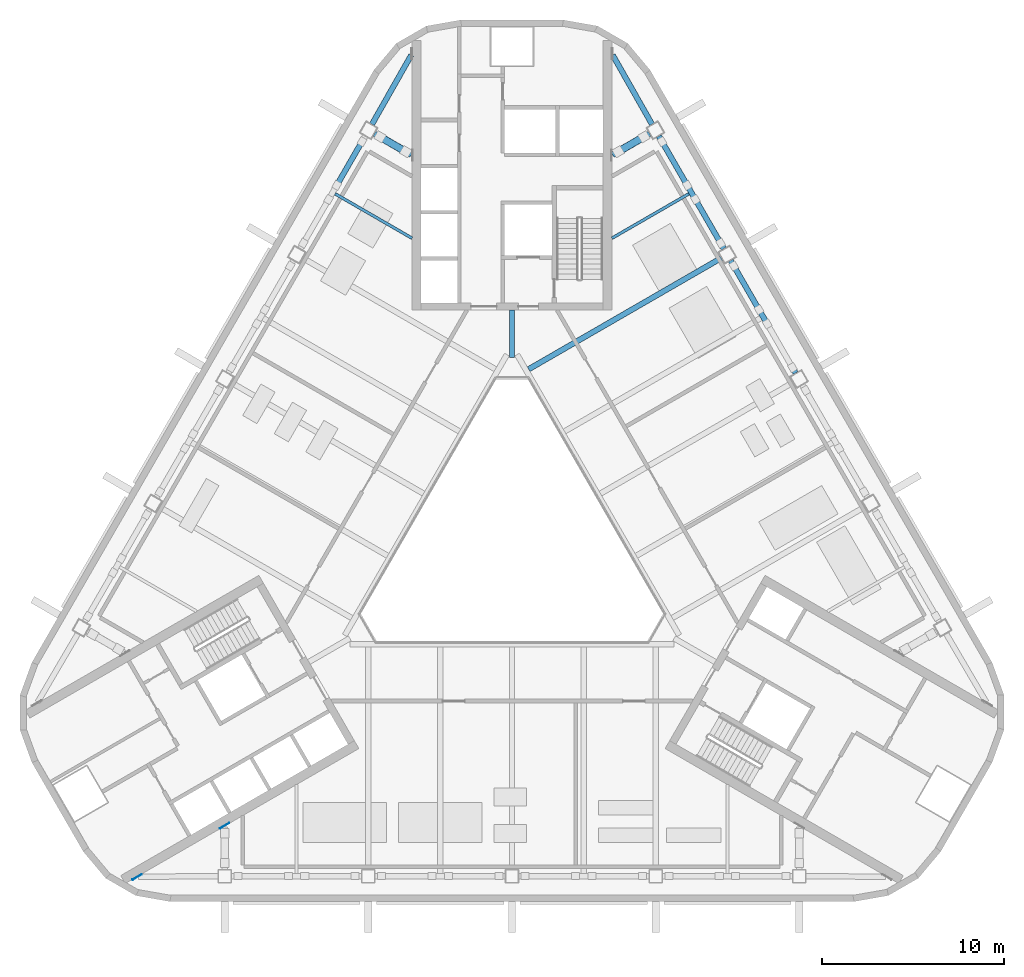
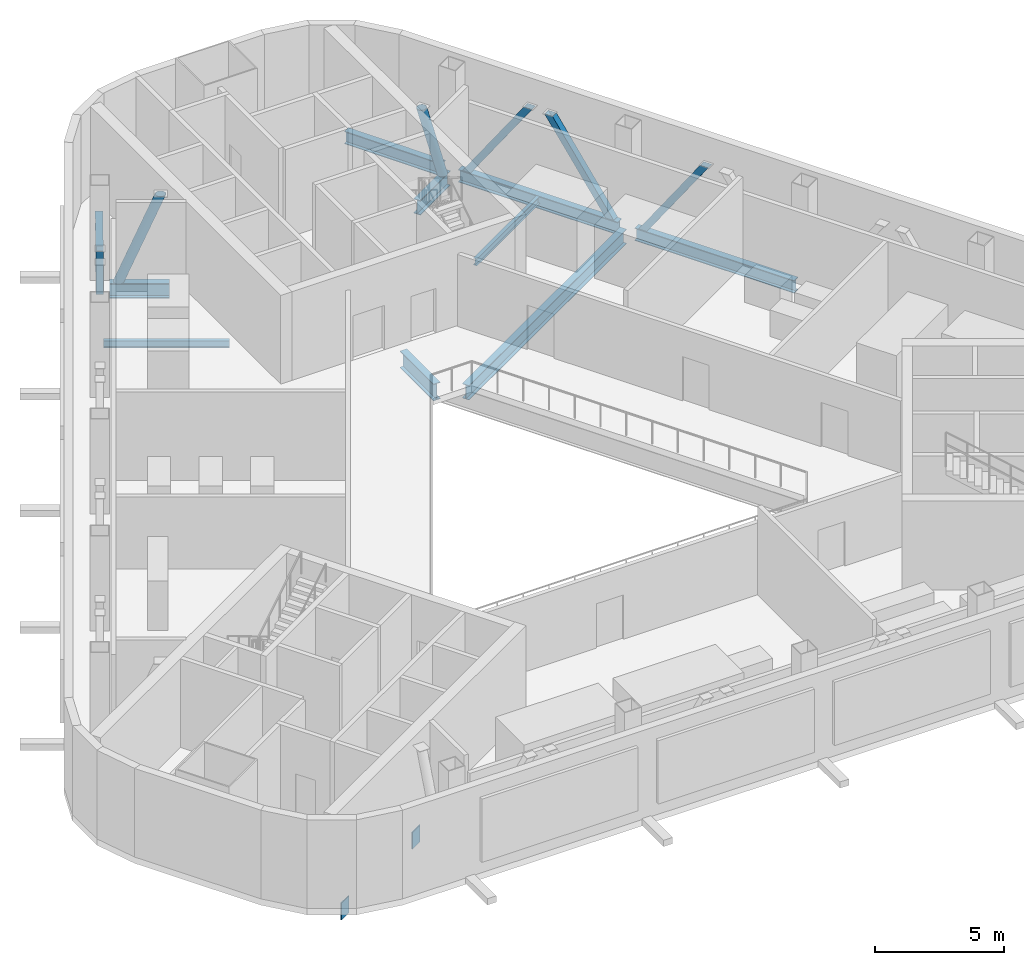
# One storey, part 3 of 15: 12 members, 4 beams, 2 plates.
"""IFC4 building model written with IfcOpenShell, lengths in metres."""

from ifc_helpers import new_model, si_unit, direction, frame, origin, origin_2d, place, context, subcontext, project, spatial, rectangle, hollow_rectangle, hollow_circle, i_section, extrude, boolean, halfspace, material, layer, layer_set, material_profile, profile_set, type_object, element, save


model = new_model("IFC4")

# Units and contexts
model_context = context("Model", 3, precision=1e-05, world=origin(), true_north=direction((0.0, 1.0)))
body_context = subcontext(model_context, "Body", "Model", "MODEL_VIEW")
ifc_project = project(units=[si_unit("LENGTHUNIT", "METRE"), si_unit("AREAUNIT", "SQUARE_METRE"), si_unit("VOLUMEUNIT", "CUBIC_METRE"), si_unit("PLANEANGLEUNIT", "RADIAN"), si_unit("MASSUNIT", "GRAM", prefix="KILO")], contexts=[model_context])

# Site, building, storey
site_placement = place(None, origin())
site = spatial("IfcSite", under=ifc_project, at=site_placement, CompositionType="ELEMENT")
building_placement = place(site_placement, origin())
building = spatial("IfcBuilding", under=site, at=building_placement, Name="Apuvela Tower Hotel", CompositionType="ELEMENT")
storey_placement = place(building_placement, frame((0.0, 0.0, 237.699951171875)))
storey = spatial("IfcBuildingStorey", under=building, at=storey_placement, Name="L58 Plant", CompositionType="ELEMENT", Elevation=237.699951171875)

# Beams
ifc_material = material(Name="Steel S355", Category="steel")
ifc_material_profile_1 = material_profile(ifc_material, i_section(OverallWidth=0.300048828125, OverallDepth=0.68994140625, WebThickness=0.014404296875, FlangeThickness=0.027099609375, at=origin_2d()), Name="HE 700 A")
ifc_profile_set_1 = profile_set([ifc_material_profile_1], Name="Steel S355")
beam_type_1 = type_object("IfcBeamType", Name="STR-B floor beam HE 700 A", PredefinedType="BEAM", material=ifc_profile_set_1)
beam_1_placement = place(storey_placement, frame((11.512939453125, 15.76904296875, -0.64501953125), z_axis=(-0.866030406821, -0.499991334387, 0.0), x_axis=(0.499991334387, -0.866030406821, 0.0)))
element("IfcBeam", 1, at=beam_1_placement, inside=storey, type_object=beam_type_1, Name="Floor beam B6 NE7", PredefinedType="BEAM", context=body_context, shape_type="SweptSolid", body=[
    extrude(i_section(OverallWidth=0.300048828125, OverallDepth=0.68994140625, WebThickness=0.014404296875, FlangeThickness=0.027099609375, at=origin_2d()), origin(), (0.0, 0.0, 1.0), 12.235107421875),
])
ifc_material_profile_2 = material_profile(ifc_material, i_section(OverallWidth=0.159912109375, OverallDepth=0.330078125, WebThickness=0.007568359375, FlangeThickness=0.011474609375, at=origin_2d()), Name="IPE 330")
ifc_profile_set_2 = profile_set([ifc_material_profile_2], Name="Steel S355")
beam_type_2 = type_object("IfcBeamType", Name="STR-B floor beam IPE 330", PredefinedType="BEAM", material=ifc_profile_set_2)
for number, where, z_axis, x_axis, name in (
    (2, (9.732666015625, 19.302490234375, -0.46484375), (-0.866015056278, -0.500017921979, 0.0), (0.500017921979, -0.866015056278, 0.0), "Floor beam B1 NE8"),
    (3, (-9.732666015625, 19.302490234375, -0.46484375), (0.866015056278, -0.500017921979, 0.0), (0.500017921979, 0.866015056278, 0.0), "Floor beam B1 NW2"),
):
    element("IfcBeam", number, at=place(storey_placement, frame(where, z_axis=z_axis, x_axis=x_axis)), inside=storey, type_object=beam_type_2, Name=name, PredefinedType="BEAM", context=body_context, shape_type="SweptSolid", body=[
        extrude(i_section(OverallWidth=0.159912109375, OverallDepth=0.330078125, WebThickness=0.007568359375, FlangeThickness=0.011474609375, at=origin_2d()), origin(), (0.0, 0.0, 1.0), 4.887451171875),
    ])
ifc_material_profile_3 = material_profile(ifc_material, i_section(OverallWidth=0.300048828125, OverallDepth=0.800048828125, WebThickness=0.017578125, FlangeThickness=0.032958984375, at=origin_2d()), Name="HE 800 B")
ifc_profile_set_3 = profile_set([ifc_material_profile_3], Name="Steel S355")
beam_type_3 = type_object("IfcBeamType", Name="STR-GT core tie beam HE 800 B", PredefinedType="BEAM", material=ifc_profile_set_3)
beam_2_placement = place(storey_placement, frame((0.0, 12.89990234375, -0.699951171875), z_axis=(0.0, -1.0, 0.0), x_axis=(1.0, 0.0, 0.0)))
element("IfcBeam", 4, at=beam_2_placement, inside=storey, type_object=beam_type_3, Name="Core tie beam GT1 N", PredefinedType="BEAM", context=body_context, shape_type="SweptSolid", body=[
    extrude(i_section(OverallWidth=0.300048828125, OverallDepth=0.800048828125, WebThickness=0.017578125, FlangeThickness=0.032958984375, at=origin_2d()), origin(), (0.0, 0.0, 1.0), 2.599853515625),
])

# Members
ifc_material_profile_4 = material_profile(ifc_material, i_section(OverallWidth=0.300048828125, OverallDepth=0.60009765625, WebThickness=0.015380859375, FlangeThickness=0.030029296875, at=origin_2d()), Name="HE 600 B")
ifc_profile_set_4 = profile_set([ifc_material_profile_4], Name="Steel S355")
member_type_1 = type_object("IfcMemberType", Name="STR-T2 belt truss chord HE 600 B", PredefinedType="CHORD", material=ifc_profile_set_4)
member_1_placement = place(storey_placement, frame((15.60009765625, 9.439697265625, -0.599853515625), z_axis=(-0.499991424076, 0.86603035504, 0.0), x_axis=(-0.86603035504, -0.499991424076, 0.0)))
element("IfcMember", 5, at=member_1_placement, inside=storey, type_object=member_type_1, Name="Belt chord BT3 NE3", PredefinedType="CHORD", context=body_context, shape_type="SweptSolid", body=[
    extrude(i_section(OverallWidth=0.300048828125, OverallDepth=0.60009765625, WebThickness=0.015380859375, FlangeThickness=0.030029296875, at=origin_2d()), origin(), (0.0, 0.0, 1.0), 7.150146484375),
])
member_2_placement = place(storey_placement, frame((11.650146484375, 16.281494140625, -0.599853515625), z_axis=(-0.500006209673, 0.866021818598, 0.0), x_axis=(-0.866021818598, -0.500006209673, 0.0)))
element("IfcMember", 6, at=member_2_placement, inside=storey, type_object=member_type_1, Name="Belt chord BT3 NE4", PredefinedType="CHORD", context=body_context, shape_type="SweptSolid", body=[
    extrude(i_section(OverallWidth=0.300048828125, OverallDepth=0.60009765625, WebThickness=0.015380859375, FlangeThickness=0.030029296875, at=origin_2d()), origin(), (0.0, 0.0, 1.0), 7.14990234375),
])
for number, where, z_axis, x_axis, name in (
    (7, (7.702392578125, 23.124267578125, -0.599853515625), (-0.494041032492, 0.869438587948, 0.0), (-0.869438587948, -0.494041032492, 0.0), "Belt chord BT3 NE5-N"),
    (8, (-7.702392578125, 23.124267578125, -0.599853515625), (0.494041032492, 0.869438587948, 0.0), (-0.869438587948, 0.494041032492, 0.0), "Belt chord BT3 NW1-N"),
):
    element("IfcMember", number, at=place(storey_placement, frame(where, z_axis=z_axis, x_axis=x_axis)), inside=storey, type_object=member_type_1, Name=name, PredefinedType="CHORD", context=body_context, shape_type="SweptSolid", body=[
        extrude(i_section(OverallWidth=0.300048828125, OverallDepth=0.60009765625, WebThickness=0.015380859375, FlangeThickness=0.030029296875, at=origin_2d()), origin(), (0.0, 0.0, 1.0), 4.376953125),
    ])
ifc_material_profile_5 = material_profile(ifc_material, hollow_rectangle(XDim=0.300048828125, YDim=0.300048828125, WallThickness=0.012451171875, at=origin_2d()), Name="SHS 300x300x12.5")
ifc_profile_set_5 = profile_set([ifc_material_profile_5], Name="Steel S355")
member_type_2 = type_object("IfcMemberType", Name="STR-T2 belt truss diagonal SHS 300x300x12.5", PredefinedType="BRACE", material=ifc_profile_set_5)
member_3_placement = place(storey_placement, frame((12.2001953125, 15.32861328125, -0.300048828125), z_axis=(0.284519488241, -0.492789956494, 0.822317894485), x_axis=(-0.411166614559, 0.712143759828, 0.569028365207)))
solid_1 = boolean("DIFFERENCE", boolean("DIFFERENCE", extrude(hollow_rectangle(XDim=0.300048828125, YDim=0.300048828125, WallThickness=0.012451171875, at=origin_2d()), frame((0.0, 0.0, -0.223876953125)), (0.0, 0.0, 1.0), 5.323974609375), halfspace(frame((0.0, 0.0, 0.0244140625), z_axis=(0.569028365207, 0.0, 0.822317894485), x_axis=(0.822317894485, 0.0, -0.569028365207)), True)), halfspace(frame((0.0, 0.0, 4.852294921875), z_axis=(0.569028365207, 0.0, 0.822317894485), x_axis=(0.822317894485, 0.0, -0.569028365207)), False))
element("IfcMember", 9, at=member_3_placement, inside=storey, type_object=member_type_2, Name="Belt truss diagonal BR3 NE3", PredefinedType="BRACE", context=body_context, shape_type="SweptSolid", body=[
    boolean("UNION", boolean("DIFFERENCE", boolean("DIFFERENCE", extrude(hollow_rectangle(XDim=0.300048828125, YDim=0.300048828125, WallThickness=0.012451171875, at=origin_2d()), origin(), (0.0, 0.0, 1.0), 4.87646484375), halfspace(frame((0.0, 0.0, 0.0244140625), z_axis=(0.569028365207, 0.0, 0.822317894485), x_axis=(0.822317894485, 0.0, -0.569028365207)), True)), halfspace(frame((0.0, 0.0, 4.852294921875), z_axis=(0.569028365207, 0.0, 0.822317894485), x_axis=(0.822317894485, 0.0, -0.569028365207)), False)), solid_1),
])
member_4_placement = place(storey_placement, frame((11.47509765625, 16.58447265625, -0.300048828125), z_axis=(-0.284512468611, 0.492827862222, 0.822297606358), x_axis=(0.411125144091, -0.712144275635, 0.569057682996)))
solid_2 = boolean("DIFFERENCE", boolean("DIFFERENCE", extrude(hollow_rectangle(XDim=0.300048828125, YDim=0.300048828125, WallThickness=0.012451171875, at=origin_2d()), frame((0.0, 0.0, -0.223876953125)), (0.0, 0.0, 1.0), 5.32421875), halfspace(frame((0.0, 0.0, 0.0244140625), z_axis=(0.569057682996, 0.0, 0.822297606358), x_axis=(0.822297606358, 0.0, -0.569057682996)), True)), halfspace(frame((0.0, 0.0, 4.852294921875), z_axis=(0.569057682996, 0.0, 0.822297606358), x_axis=(0.822297606358, 0.0, -0.569057682996)), False))
element("IfcMember", 10, at=member_4_placement, inside=storey, type_object=member_type_2, Name="Belt truss diagonal BR3 NE4", PredefinedType="BRACE", context=body_context, shape_type="SweptSolid", body=[
    boolean("UNION", boolean("DIFFERENCE", boolean("DIFFERENCE", extrude(hollow_rectangle(XDim=0.300048828125, YDim=0.300048828125, WallThickness=0.012451171875, at=origin_2d()), origin(), (0.0, 0.0, 1.0), 4.876708984375), halfspace(frame((0.0, 0.0, 0.0244140625), z_axis=(0.569057682996, 0.0, 0.822297606358), x_axis=(0.822297606358, 0.0, -0.569057682996)), True)), halfspace(frame((0.0, 0.0, 4.852294921875), z_axis=(0.569057682996, 0.0, 0.822297606358), x_axis=(0.822297606358, 0.0, -0.569057682996)), False)), solid_2),
])
member_5_placement = place(storey_placement, frame((8.25, 22.17041015625, -0.300048828125), z_axis=(0.284558478879, -0.492820842027, 0.82228589296), x_axis=(-0.411173542691, 0.71210280687, 0.569074608675)))
solid_3 = boolean("DIFFERENCE", boolean("DIFFERENCE", extrude(hollow_rectangle(XDim=0.300048828125, YDim=0.300048828125, WallThickness=0.012451171875, at=origin_2d()), frame((0.0, 0.0, -0.223876953125)), (0.0, 0.0, 1.0), 5.32421875), halfspace(frame((0.0, 0.0, 0.0244140625), z_axis=(0.569074608675, 0.0, 0.82228589296), x_axis=(0.82228589296, 0.0, -0.569074608675)), True)), halfspace(frame((0.0, 0.0, 4.8525390625), z_axis=(0.569074608675, 0.0, 0.82228589296), x_axis=(0.82228589296, 0.0, -0.569074608675)), False))
element("IfcMember", 11, at=member_5_placement, inside=storey, type_object=member_type_2, Name="Belt truss diagonal BR3 NE4", PredefinedType="BRACE", context=body_context, shape_type="SweptSolid", body=[
    boolean("UNION", boolean("DIFFERENCE", boolean("DIFFERENCE", extrude(hollow_rectangle(XDim=0.300048828125, YDim=0.300048828125, WallThickness=0.012451171875, at=origin_2d()), origin(), (0.0, 0.0, 1.0), 4.876708984375), halfspace(frame((0.0, 0.0, 0.0244140625), z_axis=(0.569074608675, 0.0, 0.82228589296), x_axis=(0.82228589296, 0.0, -0.569074608675)), True)), halfspace(frame((0.0, 0.0, 4.8525390625), z_axis=(0.569074608675, 0.0, 0.82228589296), x_axis=(0.82228589296, 0.0, -0.569074608675)), False)), solid_3),
])
member_6_placement = place(storey_placement, frame((-8.25, 22.17041015625, -0.300048828125), z_axis=(-0.284558478879, -0.492820842027, 0.82228589296), x_axis=(0.411173542691, 0.71210280687, 0.569074608675)))
solid_4 = boolean("DIFFERENCE", boolean("DIFFERENCE", extrude(hollow_rectangle(XDim=0.300048828125, YDim=0.300048828125, WallThickness=0.012451171875, at=origin_2d()), frame((0.0, 0.0, -0.223876953125)), (0.0, 0.0, 1.0), 5.32421875), halfspace(frame((0.0, 0.0, 0.0244140625), z_axis=(0.569074608675, 0.0, 0.82228589296), x_axis=(0.82228589296, 0.0, -0.569074608675)), True)), halfspace(frame((0.0, 0.0, 4.8525390625), z_axis=(0.569074608675, 0.0, 0.82228589296), x_axis=(0.82228589296, 0.0, -0.569074608675)), False))
element("IfcMember", 12, at=member_6_placement, inside=storey, type_object=member_type_2, Name="Belt truss diagonal BR3 NW1", PredefinedType="BRACE", context=body_context, shape_type="SweptSolid", body=[
    boolean("UNION", boolean("DIFFERENCE", boolean("DIFFERENCE", extrude(hollow_rectangle(XDim=0.300048828125, YDim=0.300048828125, WallThickness=0.012451171875, at=origin_2d()), origin(), (0.0, 0.0, 1.0), 4.876708984375), halfspace(frame((0.0, 0.0, 0.0244140625), z_axis=(0.569074608675, 0.0, 0.82228589296), x_axis=(0.82228589296, 0.0, -0.569074608675)), True)), halfspace(frame((0.0, 0.0, 4.8525390625), z_axis=(0.569074608675, 0.0, 0.82228589296), x_axis=(0.82228589296, 0.0, -0.569074608675)), False)), solid_4),
])
ifc_material_profile_6 = material_profile(ifc_material, i_section(OverallWidth=0.300048828125, OverallDepth=0.699951171875, WebThickness=0.01708984375, FlangeThickness=0.031982421875, at=origin_2d()), Name="HE 700 B")
ifc_profile_set_6 = profile_set([ifc_material_profile_6], Name="Steel S355")
member_type_3 = type_object("IfcMemberType", Name="STR-T2 outrigger truss chord HE 700 B", PredefinedType="CHORD", material=ifc_profile_set_6)
for number, where, z_axis, x_axis, name in (
    (13, (7.56298828125, 22.610595703125, -0.64990234375), (-0.866067235255, -0.499927538767, 0.0), (0.499927538767, -0.866067235255, 0.0), "Outrigger chord OC3 NE5"),
    (14, (-7.56298828125, 22.610595703125, -0.64990234375), (0.866067235255, -0.499927538767, 0.0), (0.499927538767, 0.866067235255, 0.0), "Outrigger chord OC3 NW1"),
):
    element("IfcMember", number, at=place(storey_placement, frame(where, z_axis=z_axis, x_axis=x_axis)), inside=storey, type_object=member_type_3, Name=name, PredefinedType="CHORD", context=body_context, shape_type="SweptSolid", body=[
        extrude(i_section(OverallWidth=0.300048828125, OverallDepth=0.699951171875, WebThickness=0.01708984375, FlangeThickness=0.031982421875, at=origin_2d()), origin(), (0.0, 0.0, 1.0), 2.335693359375),
    ])
ifc_material_profile_7 = material_profile(ifc_material, hollow_circle(Radius=0.203125, WallThickness=0.01611328125, at=origin_2d()), Name="CHS 406.4x16")
ifc_profile_set_7 = profile_set([ifc_material_profile_7], Name="Steel S355")
member_type_4 = type_object("IfcMemberType", Name="STR-T2 outrigger truss diagonal CHS 406.4x16", PredefinedType="BRACE", material=ifc_profile_set_7)
member_7_placement = place(storey_placement, frame((7.259765625, 22.435791015625, -0.300048828125), z_axis=(-0.316270135675, -0.182578830693, 0.930934031961), x_axis=(0.806234395018, 0.465429126885, 0.365187387703)))
solid_5 = boolean("DIFFERENCE", boolean("DIFFERENCE", extrude(hollow_circle(Radius=0.203125, WallThickness=0.01611328125, at=origin_2d()), frame((0.0, 0.0, -0.19970703125)), (0.0, 0.0, 1.0), 4.87890625), halfspace(frame((0.0, 0.0, 0.021484375), z_axis=(0.365187387703, 0.0, 0.930934031961), x_axis=(0.930934031961, 0.0, -0.365187387703)), True)), halfspace(frame((0.0, 0.0, 4.4580078125), z_axis=(0.365187387703, 0.0, 0.930934031961), x_axis=(0.930934031961, 0.0, -0.365187387703)), False))
element("IfcMember", 15, at=member_7_placement, inside=storey, type_object=member_type_4, Name="Outrigger diagonal OD3 NE5", PredefinedType="BRACE", context=body_context, shape_type="SweptSolid", body=[
    boolean("UNION", boolean("DIFFERENCE", boolean("DIFFERENCE", extrude(hollow_circle(Radius=0.203125, WallThickness=0.01611328125, at=origin_2d()), origin(), (0.0, 0.0, 1.0), 4.4794921875), halfspace(frame((0.0, 0.0, 0.021484375), z_axis=(0.365187387703, 0.0, 0.930934031961), x_axis=(0.930934031961, 0.0, -0.365187387703)), True)), halfspace(frame((0.0, 0.0, 4.4580078125), z_axis=(0.365187387703, 0.0, 0.930934031961), x_axis=(0.930934031961, 0.0, -0.365187387703)), False)), solid_5),
])
member_8_placement = place(storey_placement, frame((-7.259765625, 22.435791015625, -0.300048828125), z_axis=(0.316270135675, -0.182578830693, 0.930934031961), x_axis=(-0.806234395018, 0.465429126885, 0.365187387703)))
solid_6 = boolean("DIFFERENCE", boolean("DIFFERENCE", extrude(hollow_circle(Radius=0.203125, WallThickness=0.01611328125, at=origin_2d()), frame((0.0, 0.0, -0.19970703125)), (0.0, 0.0, 1.0), 4.87890625), halfspace(frame((0.0, 0.0, 0.021484375), z_axis=(0.365187387703, 0.0, 0.930934031961), x_axis=(0.930934031961, 0.0, -0.365187387703)), True)), halfspace(frame((0.0, 0.0, 4.4580078125), z_axis=(0.365187387703, 0.0, 0.930934031961), x_axis=(0.930934031961, 0.0, -0.365187387703)), False))
element("IfcMember", 16, at=member_8_placement, inside=storey, type_object=member_type_4, Name="Outrigger diagonal OD3 NW1", PredefinedType="BRACE", context=body_context, shape_type="SweptSolid", body=[
    boolean("UNION", boolean("DIFFERENCE", boolean("DIFFERENCE", extrude(hollow_circle(Radius=0.203125, WallThickness=0.01611328125, at=origin_2d()), origin(), (0.0, 0.0, 1.0), 4.4794921875), halfspace(frame((0.0, 0.0, 0.021484375), z_axis=(0.365187387703, 0.0, 0.930934031961), x_axis=(0.930934031961, 0.0, -0.365187387703)), True)), halfspace(frame((0.0, 0.0, 4.4580078125), z_axis=(0.365187387703, 0.0, 0.930934031961), x_axis=(0.930934031961, 0.0, -0.365187387703)), False)), solid_6),
])

# Plates
ifc_layer = layer(ifc_material, 0.0400390625)
ifc_layer_set = layer_set([ifc_layer], Name="STR-CP 40 Steel S355")
plate_type = type_object("IfcPlateType", Name="STR-CP 40 Steel S355", PredefinedType="SHEET", material=ifc_layer_set)
for number, where, z_axis, x_axis, name in (
    (17, (-20.622802734375, -18.280517578125, -1.0), (0.0, 0.0, 1.0), (0.5, -0.866025403784, 0.0), "Cast-in plate CP-T2-49 40"),
    (18, (-15.81005859375, -15.455810546875, -1.0498046875), (0.0, 0.0, 1.0), (-0.5, 0.866025403784, 0.0), "Cast-in plate CP-T2-59 40"),
):
    element("IfcPlate", number, at=place(storey_placement, frame(where, z_axis=z_axis, x_axis=x_axis)), inside=storey, type_object=plate_type, Name=name, PredefinedType="SHEET", context=body_context, shape_type="SweptSolid", body=[
        extrude(rectangle(XDim=0.0400390625, YDim=0.60009765625, at=origin_2d()), origin(), (0.0, 0.0, 1.0), 0.800048828125),
    ])

save(model, "model.ifc")
